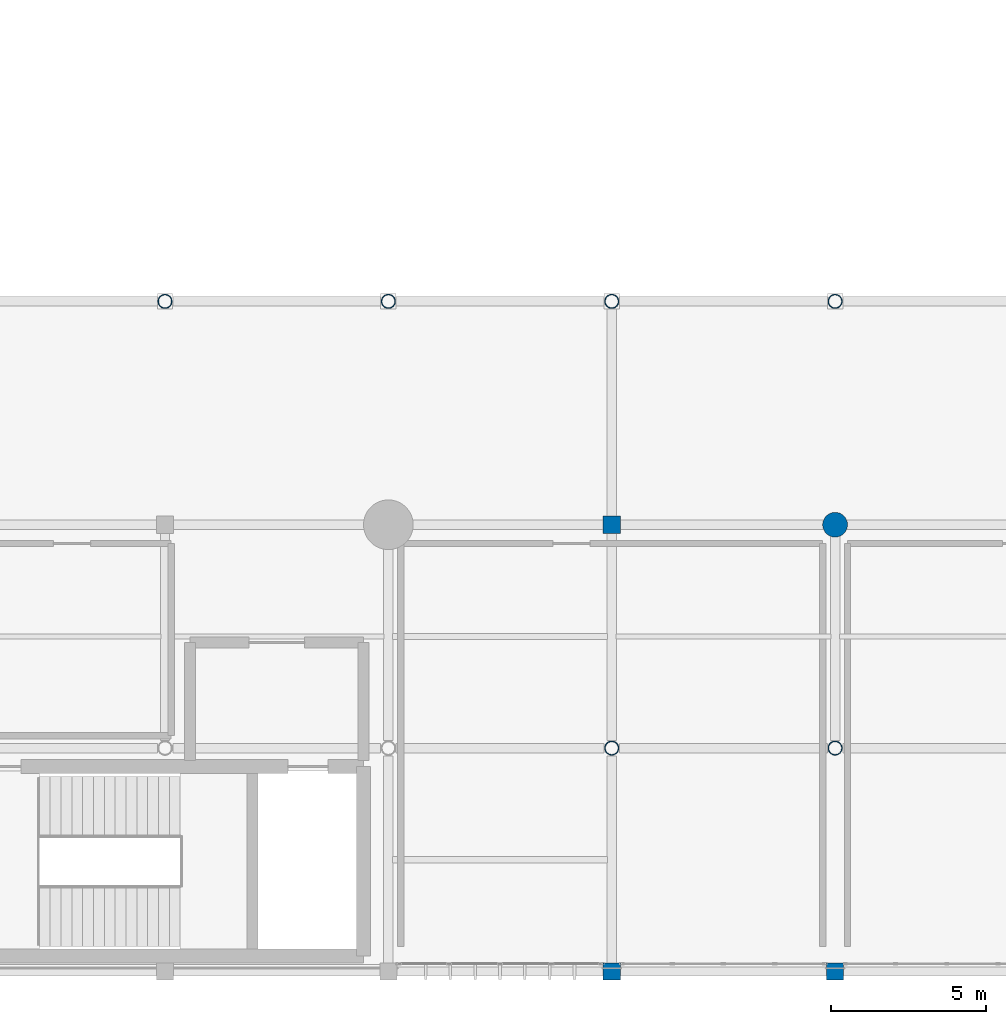
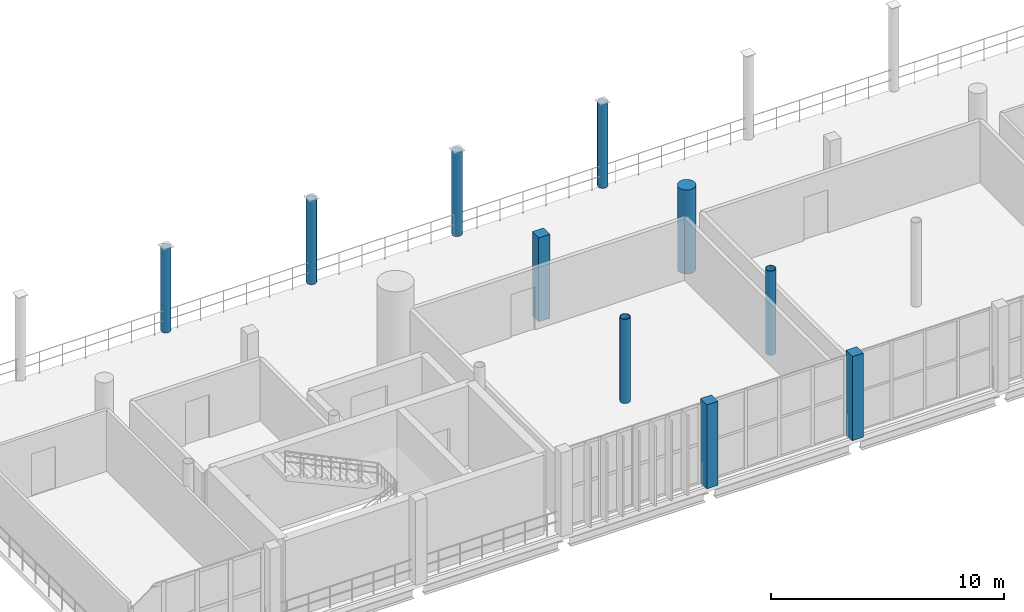
# One storey, part 2 of 81: 10 columns.
"""IFC4 building model written with IfcOpenShell, lengths in metres."""

from ifc_helpers import new_model, si_unit, direction, frame, origin, origin_2d, place, context, subcontext, project, spatial, rectangle, circle, hollow_circle, extrude, material, material_profile, profile_set, type_object, element, save


model = new_model("IFC4")

# Units and contexts
model_context = context("Model", 3, precision=1e-05, world=origin(), true_north=direction((0.0, 1.0)))
body_context = subcontext(model_context, "Body", "Model", "MODEL_VIEW")
ifc_project = project(units=[si_unit("LENGTHUNIT", "METRE"), si_unit("AREAUNIT", "SQUARE_METRE"), si_unit("VOLUMEUNIT", "CUBIC_METRE"), si_unit("PLANEANGLEUNIT", "RADIAN"), si_unit("MASSUNIT", "GRAM", prefix="KILO")], contexts=[model_context])

# Site, building, storey
site_placement = place(None, origin())
site = spatial("IfcSite", under=ifc_project, at=site_placement, CompositionType="ELEMENT")
building_placement = place(site_placement, origin())
building = spatial("IfcBuilding", under=site, at=building_placement, Name="Qandorah Velis Arena", CompositionType="ELEMENT")
storey_placement = place(building_placement, frame((0.0, 0.0, 18.60009765625)))
storey = spatial("IfcBuildingStorey", under=building, at=storey_placement, Name="L04", CompositionType="ELEMENT", Elevation=18.60009765625)

# Columns
ifc_material_1 = material(Name="Steel S355", Category="steel")
ifc_material_profile_1 = material_profile(ifc_material_1, hollow_circle(Radius=0.228515625, WallThickness=0.02001953125, at=origin_2d()), Name="CHS 457x20")
ifc_profile_set_1 = profile_set([ifc_material_profile_1], Name="Steel S355")
column_type_1 = type_object("IfcColumnType", Name="STR-COL-CHS457", PredefinedType="COLUMN", material=ifc_profile_set_1)
for number, where, z_axis, x_axis, name in (
    (1, (36.0, 21.60009765625, 0.0), (0.0, 0.0, 1.0), (1.0, 0.0, 0.0), "Structural column L04-067"),
    (2, (43.199951171875, 21.60009765625, 0.0), (0.0, 0.0, 1.0), (1.0, 0.0, 0.0), "Structural column L04-075"),
    (3, (50.39990234375, 7.199951171875, 0.0), (0.0, 0.0, 1.0), (1.0, 0.0, 0.0), "Structural column L04-081"),
    (4, (50.39990234375, 21.60009765625, 0.0), (0.0, 0.0, 1.0), (1.0, 0.0, 0.0), "Structural column L04-083"),
    (5, (57.60009765625, 7.199951171875, 0.0), (0.0, 0.0, 1.0), (1.0, 0.0, 0.0), "Structural column L04-089"),
    (6, (57.60009765625, 21.60009765625, 0.0), (0.0, 0.0, 1.0), (1.0, 0.0, 0.0), "Structural column L04-091"),
):
    element("IfcColumn", number, at=place(storey_placement, frame(where, z_axis=z_axis, x_axis=x_axis)), inside=storey, type_object=column_type_1, Name=name, PredefinedType="COLUMN", context=body_context, shape_type="SweptSolid", body=[
        extrude(hollow_circle(Radius=0.228515625, WallThickness=0.02001953125, at=origin_2d()), origin(), (0.0, 0.0, 1.0), 4.39990234375),
    ])
ifc_material_2 = material(Name="Concrete C40/50", Category="concrete")
ifc_material_profile_2 = material_profile(ifc_material_2, rectangle(XDim=0.550048828125, YDim=0.550048828125, at=origin_2d()), Name="RC COL 550x550")
ifc_profile_set_2 = profile_set([ifc_material_profile_2], Name="Concrete C40/50")
column_type_2 = type_object("IfcColumnType", Name="STR-COL-RC550", PredefinedType="COLUMN", material=ifc_profile_set_2)
for number, where, z_axis, x_axis, name in (
    (7, (50.39990234375, 0.0, 0.0), (0.0, 0.0, 1.0), (1.0, 0.0, 0.0), "Structural column L04-080"),
    (8, (50.39990234375, 14.39990234375, 0.0), (0.0, 0.0, 1.0), (1.0, 0.0, 0.0), "Structural column L04-082"),
    (9, (57.60009765625, 0.0, 0.0), (0.0, 0.0, 1.0), (1.0, 0.0, 0.0), "Structural column L04-088"),
):
    element("IfcColumn", number, at=place(storey_placement, frame(where, z_axis=z_axis, x_axis=x_axis)), inside=storey, type_object=column_type_2, Name=name, PredefinedType="COLUMN", context=body_context, shape_type="SweptSolid", body=[
        extrude(rectangle(XDim=0.550048828125, YDim=0.550048828125, at=origin_2d()), origin(), (0.0, 0.0, 1.0), 4.39990234375),
    ])
ifc_material_profile_3 = material_profile(ifc_material_2, circle(Radius=0.39990234375, at=origin_2d()), Name="RC D800")
ifc_profile_set_3 = profile_set([ifc_material_profile_3], Name="Concrete C40/50")
column_type_3 = type_object("IfcColumnType", Name="STR-COL-RCD800", PredefinedType="COLUMN", material=ifc_profile_set_3)
column_placement = place(storey_placement, frame((57.60009765625, 14.39990234375, 0.0), z_axis=(0.0, 0.0, 1.0), x_axis=(1.0, 0.0, 0.0)))
element("IfcColumn", 10, at=column_placement, inside=storey, type_object=column_type_3, Name="Bowl drum ring column L04-090", PredefinedType="COLUMN", context=body_context, shape_type="SweptSolid", body=[
    extrude(circle(Radius=0.39990234375, at=origin_2d()), origin(), (0.0, 0.0, 1.0), 4.39990234375),
])

save(model, "model.ifc")
